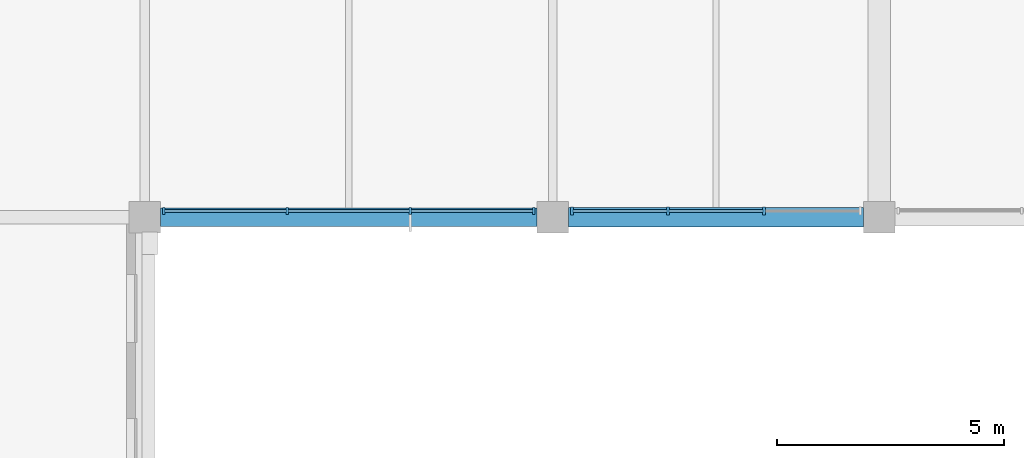
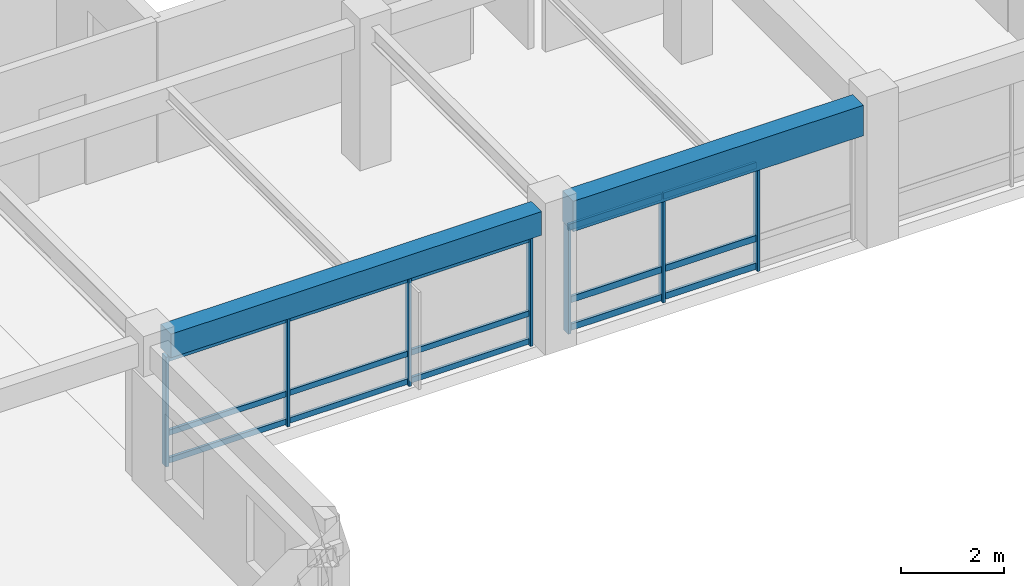
# One storey, part 22 of 52: 22 members, 2 beams, 2 elements without a shape of their own.
"""IFC4 building model written with IfcOpenShell, lengths in metres."""

from ifc_helpers import new_model, si_unit, direction, frame, origin, origin_2d, place, context, subcontext, project, spatial, rectangle, extrude, material, material_profile, profile_set, type_object, element, aggregate, save


model = new_model("IFC4")

# Units and contexts
model_context = context("Model", 3, precision=1e-05, world=origin(), true_north=direction((0.0, 1.0)))
body_context = subcontext(model_context, "Body", "Model", "MODEL_VIEW")
ifc_project = project(units=[si_unit("LENGTHUNIT", "METRE"), si_unit("AREAUNIT", "SQUARE_METRE"), si_unit("VOLUMEUNIT", "CUBIC_METRE"), si_unit("PLANEANGLEUNIT", "RADIAN"), si_unit("MASSUNIT", "GRAM", prefix="KILO")], contexts=[model_context])

# Site, building, storey
site_placement = place(None, origin())
site = spatial("IfcSite", under=ifc_project, at=site_placement, CompositionType="ELEMENT")
building_placement = place(site_placement, origin())
building = spatial("IfcBuilding", under=site, at=building_placement, Name="Clarverna Civic Hall", CompositionType="ELEMENT")
storey_placement = place(building_placement, frame((0.0, 0.0, 16.800048828125)))
storey = spatial("IfcBuildingStorey", under=building, at=storey_placement, Name="L04", CompositionType="ELEMENT", Elevation=16.800048828125)

# Beams
ifc_material_1 = material(Name="Concrete C35/45", Category="concrete")
ifc_material_profile_1 = material_profile(ifc_material_1, rectangle(XDim=0.419921875, YDim=0.719970703125, at=origin_2d()), Name="RC 420x720")
ifc_profile_set_1 = profile_set([ifc_material_profile_1], Name="Concrete C35/45")
beam_type_1 = type_object("IfcBeamType", Name="B-SP1", PredefinedType="SPANDREL", material=ifc_profile_set_1)
beam_1_placement = place(storey_placement, frame((122.75, 95.0, 2.9599609375), z_axis=(1.0, 0.0, 0.0), x_axis=(0.0, 1.0, 0.0)))
element("IfcBeam", 1, at=beam_1_placement, inside=storey, type_object=beam_type_1, Name="B-SP1-129", PredefinedType="SPANDREL", context=body_context, shape_type="SweptSolid", body=[
    extrude(rectangle(XDim=0.419921875, YDim=0.719970703125, at=origin_2d()), origin(), (0.0, 0.0, 1.0), 6.5),
])
ifc_material_profile_2 = material_profile(ifc_material_1, rectangle(XDim=0.39990234375, YDim=0.56005859375, at=origin_2d()), Name="RC 400x560")
ifc_profile_set_2 = profile_set([ifc_material_profile_2], Name="Concrete C35/45")
beam_type_2 = type_object("IfcBeamType", Name="B-SP4", PredefinedType="SPANDREL", material=ifc_profile_set_2)
beam_2_placement = place(storey_placement, frame((113.75, 95.0, 3.0400390625), z_axis=(1.0, 0.0, 0.0), x_axis=(0.0, 1.0, 0.0)))
element("IfcBeam", 2, at=beam_2_placement, inside=storey, type_object=beam_type_2, Name="B-SP4-133", PredefinedType="SPANDREL", context=body_context, shape_type="SweptSolid", body=[
    extrude(rectangle(XDim=0.39990234375, YDim=0.56005859375, at=origin_2d()), origin(), (0.0, 0.0, 1.0), 8.300048828125),
])

# Curtain wall, members
ifc_material_2 = material(Name="Anodised Bronze Architectural Aluminium", Category="aluminium")
curtain_wall_type = type_object("IfcCurtainWallType", Name="CW-01", PredefinedType="USERDEFINED", material=ifc_material_2)
curtain_wall_1_placement = place(storey_placement, origin())
curtain_wall_1 = element("IfcCurtainWall", 3, at=curtain_wall_1_placement, inside=storey, type_object=curtain_wall_type, Name="CW-01-099", ObjectType="UNITISED CURTAIN WALL", PredefinedType="USERDEFINED")
ifc_material_profile_3 = material_profile(ifc_material_2, rectangle(XDim=0.06005859375, YDim=0.179931640625, at=origin_2d()), Name="BRONZE 60x180")
ifc_profile_set_3 = profile_set([ifc_material_profile_3], Name="Anodised Bronze Architectural Aluminium")
member_type_1 = type_object("IfcMemberType", Name="CWM-01", PredefinedType="MULLION", material=ifc_profile_set_3)
member_1_placement = place(storey_placement, frame((127.05908203125, 95.139892578125, 0.0), z_axis=(0.0, 0.0, 1.0), x_axis=(1.0, 0.0, 0.0)))
member_1 = element("IfcMember", 4, at=member_1_placement, type_object=member_type_1, Name="CWM-01-175", PredefinedType="MULLION", context=body_context, shape_type="SweptSolid", body=[
    extrude(rectangle(XDim=0.06005859375, YDim=0.179931640625, at=origin_2d()), origin(), (0.0, 0.0, 1.0), 2.570068359375),
])
member_2_placement = place(storey_placement, frame((124.94091796875, 95.139892578125, 0.0), z_axis=(0.0, 0.0, 1.0), x_axis=(1.0, 0.0, 0.0)))
member_2 = element("IfcMember", 5, at=member_2_placement, type_object=member_type_1, Name="CWM-01-176", PredefinedType="MULLION", context=body_context, shape_type="SweptSolid", body=[
    extrude(rectangle(XDim=0.06005859375, YDim=0.179931640625, at=origin_2d()), origin(), (0.0, 0.0, 1.0), 2.570068359375),
])
member_3_placement = place(storey_placement, frame((122.822998046875, 95.139892578125, 0.0), z_axis=(0.0, 0.0, 1.0), x_axis=(1.0, 0.0, 0.0)))
member_3 = element("IfcMember", 6, at=member_3_placement, type_object=member_type_1, Name="CWM-01-177", PredefinedType="MULLION", context=body_context, shape_type="SweptSolid", body=[
    extrude(rectangle(XDim=0.06005859375, YDim=0.179931640625, at=origin_2d()), origin(), (0.0, 0.0, 1.0), 2.570068359375),
])

curtain_wall_2_placement = place(storey_placement, origin())
curtain_wall_2 = element("IfcCurtainWall", 7, at=curtain_wall_2_placement, inside=storey, type_object=curtain_wall_type, Name="CW-01-100", ObjectType="UNITISED CURTAIN WALL", PredefinedType="USERDEFINED")
ifc_material_profile_4 = material_profile(ifc_material_2, rectangle(XDim=0.06005859375, YDim=0.159912109375, at=origin_2d()), Name="BRONZE 60x160")
ifc_profile_set_4 = profile_set([ifc_material_profile_4], Name="Anodised Bronze Architectural Aluminium")
member_type_2 = type_object("IfcMemberType", Name="CWM-02", PredefinedType="MULLION", material=ifc_profile_set_4)
member_4_placement = place(storey_placement, frame((121.97705078125, 95.139892578125, 0.0), z_axis=(0.0, 0.0, 1.0), x_axis=(1.0, 0.0, 0.0)))
member_4 = element("IfcMember", 8, at=member_4_placement, type_object=member_type_2, Name="CWM-02-203", PredefinedType="MULLION", context=body_context, shape_type="SweptSolid", body=[
    extrude(rectangle(XDim=0.06005859375, YDim=0.159912109375, at=origin_2d()), origin(), (0.0, 0.0, 1.0), 2.599853515625),
])
member_5_placement = place(storey_placement, frame((119.259033203125, 95.139892578125, 0.0), z_axis=(0.0, 0.0, 1.0), x_axis=(1.0, 0.0, 0.0)))
member_5 = element("IfcMember", 9, at=member_5_placement, type_object=member_type_2, Name="CWM-02-204", PredefinedType="MULLION", context=body_context, shape_type="SweptSolid", body=[
    extrude(rectangle(XDim=0.06005859375, YDim=0.159912109375, at=origin_2d()), origin(), (0.0, 0.0, 1.0), 2.599853515625),
])
member_6_placement = place(storey_placement, frame((116.541015625, 95.139892578125, 0.0), z_axis=(0.0, 0.0, 1.0), x_axis=(1.0, 0.0, 0.0)))
member_6 = element("IfcMember", 10, at=member_6_placement, type_object=member_type_2, Name="CWM-02-205", PredefinedType="MULLION", context=body_context, shape_type="SweptSolid", body=[
    extrude(rectangle(XDim=0.06005859375, YDim=0.159912109375, at=origin_2d()), origin(), (0.0, 0.0, 1.0), 2.599853515625),
])
member_7_placement = place(storey_placement, frame((113.822998046875, 95.139892578125, 0.0), z_axis=(0.0, 0.0, 1.0), x_axis=(1.0, 0.0, 0.0)))
member_7 = element("IfcMember", 11, at=member_7_placement, type_object=member_type_2, Name="CWM-02-206", PredefinedType="MULLION", context=body_context, shape_type="SweptSolid", body=[
    extrude(rectangle(XDim=0.06005859375, YDim=0.159912109375, at=origin_2d()), origin(), (0.0, 0.0, 1.0), 2.599853515625),
])

# Member
ifc_material_profile_5 = material_profile(ifc_material_2, rectangle(XDim=0.06005859375, YDim=0.14990234375, at=origin_2d()), Name="BRONZE 60x150")
ifc_profile_set_5 = profile_set([ifc_material_profile_5], Name="Anodised Bronze Architectural Aluminium")
member_type_3 = type_object("IfcMemberType", Name="CWT-01", PredefinedType="USERDEFINED", material=ifc_profile_set_5)
member_8_placement = place(storey_placement, frame((127.0439453125, 95.139892578125, 0.094970703125), z_axis=(-1.0, 0.0, 0.0), x_axis=(0.0, -1.0, 0.0)))
member_8 = element("IfcMember", 12, at=member_8_placement, type_object=member_type_3, Name="CWT-01-373", ObjectType="TRANSOM", PredefinedType="USERDEFINED", context=body_context, shape_type="SweptSolid", body=[
    extrude(rectangle(XDim=0.06005859375, YDim=0.14990234375, at=origin_2d()), origin(), (0.0, 0.0, 1.0), 2.087890625),
])

member_9_placement = place(storey_placement, frame((127.0439453125, 95.139892578125, 0.75), z_axis=(-1.0, 0.0, 0.0), x_axis=(0.0, -1.0, 0.0)))
member_9 = element("IfcMember", 13, at=member_9_placement, type_object=member_type_3, Name="CWT-01-374", ObjectType="TRANSOM", PredefinedType="USERDEFINED", context=body_context, shape_type="SweptSolid", body=[
    extrude(rectangle(XDim=0.06005859375, YDim=0.14990234375, at=origin_2d()), origin(), (0.0, 0.0, 1.0), 2.087890625),
])

member_10_placement = place(storey_placement, frame((127.0439453125, 95.139892578125, 2.474853515625), z_axis=(-1.0, 0.0, 0.0), x_axis=(0.0, -1.0, 0.0)))
member_10 = element("IfcMember", 14, at=member_10_placement, type_object=member_type_3, Name="CWT-01-375", ObjectType="TRANSOM", PredefinedType="USERDEFINED", context=body_context, shape_type="SweptSolid", body=[
    extrude(rectangle(XDim=0.06005859375, YDim=0.14990234375, at=origin_2d()), origin(), (0.0, 0.0, 1.0), 2.087890625),
])

member_11_placement = place(storey_placement, frame((124.926025390625, 95.139892578125, 0.094970703125), z_axis=(-1.0, 0.0, 0.0), x_axis=(0.0, -1.0, 0.0)))
member_11 = element("IfcMember", 15, at=member_11_placement, type_object=member_type_3, Name="CWT-01-376", ObjectType="TRANSOM", PredefinedType="USERDEFINED", context=body_context, shape_type="SweptSolid", body=[
    extrude(rectangle(XDim=0.06005859375, YDim=0.14990234375, at=origin_2d()), origin(), (0.0, 0.0, 1.0), 2.088134765625),
])

member_12_placement = place(storey_placement, frame((124.926025390625, 95.139892578125, 0.75), z_axis=(-1.0, 0.0, 0.0), x_axis=(0.0, -1.0, 0.0)))
member_12 = element("IfcMember", 16, at=member_12_placement, type_object=member_type_3, Name="CWT-01-377", ObjectType="TRANSOM", PredefinedType="USERDEFINED", context=body_context, shape_type="SweptSolid", body=[
    extrude(rectangle(XDim=0.06005859375, YDim=0.14990234375, at=origin_2d()), origin(), (0.0, 0.0, 1.0), 2.088134765625),
])

member_13_placement = place(storey_placement, frame((124.926025390625, 95.139892578125, 2.474853515625), z_axis=(-1.0, 0.0, 0.0), x_axis=(0.0, -1.0, 0.0)))
member_13 = element("IfcMember", 17, at=member_13_placement, type_object=member_type_3, Name="CWT-01-378", ObjectType="TRANSOM", PredefinedType="USERDEFINED", context=body_context, shape_type="SweptSolid", body=[
    extrude(rectangle(XDim=0.06005859375, YDim=0.14990234375, at=origin_2d()), origin(), (0.0, 0.0, 1.0), 2.088134765625),
])

aggregate(curtain_wall_1, [member_1, member_2, member_3, member_8, member_9, member_10, member_11, member_12, member_13])

ifc_material_profile_6 = material_profile(ifc_material_2, rectangle(XDim=0.06005859375, YDim=0.1298828125, at=origin_2d()), Name="BRONZE 60x130")
ifc_profile_set_6 = profile_set([ifc_material_profile_6], Name="Anodised Bronze Architectural Aluminium")
member_type_4 = type_object("IfcMemberType", Name="CWT-02", PredefinedType="USERDEFINED", material=ifc_profile_set_6)
member_14_placement = place(storey_placement, frame((121.9619140625, 95.139892578125, 0.094970703125), z_axis=(-1.0, 0.0, 0.0), x_axis=(0.0, -1.0, 0.0)))
member_14 = element("IfcMember", 18, at=member_14_placement, type_object=member_type_4, Name="CWT-02-430", ObjectType="TRANSOM", PredefinedType="USERDEFINED", context=body_context, shape_type="SweptSolid", body=[
    extrude(rectangle(XDim=0.06005859375, YDim=0.1298828125, at=origin_2d()), origin(), (0.0, 0.0, 1.0), 2.68798828125),
])

member_15_placement = place(storey_placement, frame((121.9619140625, 95.139892578125, 0.75), z_axis=(-1.0, 0.0, 0.0), x_axis=(0.0, -1.0, 0.0)))
member_15 = element("IfcMember", 19, at=member_15_placement, type_object=member_type_4, Name="CWT-02-431", ObjectType="TRANSOM", PredefinedType="USERDEFINED", context=body_context, shape_type="SweptSolid", body=[
    extrude(rectangle(XDim=0.06005859375, YDim=0.1298828125, at=origin_2d()), origin(), (0.0, 0.0, 1.0), 2.68798828125),
])

member_16_placement = place(storey_placement, frame((121.9619140625, 95.139892578125, 2.5048828125), z_axis=(-1.0, 0.0, 0.0), x_axis=(0.0, -1.0, 0.0)))
member_16 = element("IfcMember", 20, at=member_16_placement, type_object=member_type_4, Name="CWT-02-432", ObjectType="TRANSOM", PredefinedType="USERDEFINED", context=body_context, shape_type="SweptSolid", body=[
    extrude(rectangle(XDim=0.06005859375, YDim=0.1298828125, at=origin_2d()), origin(), (0.0, 0.0, 1.0), 2.68798828125),
])

member_17_placement = place(storey_placement, frame((119.243896484375, 95.139892578125, 0.094970703125), z_axis=(-1.0, 0.0, 0.0), x_axis=(0.0, -1.0, 0.0)))
member_17 = element("IfcMember", 21, at=member_17_placement, type_object=member_type_4, Name="CWT-02-433", ObjectType="TRANSOM", PredefinedType="USERDEFINED", context=body_context, shape_type="SweptSolid", body=[
    extrude(rectangle(XDim=0.06005859375, YDim=0.1298828125, at=origin_2d()), origin(), (0.0, 0.0, 1.0), 2.68798828125),
])

member_18_placement = place(storey_placement, frame((119.243896484375, 95.139892578125, 0.75), z_axis=(-1.0, 0.0, 0.0), x_axis=(0.0, -1.0, 0.0)))
member_18 = element("IfcMember", 22, at=member_18_placement, type_object=member_type_4, Name="CWT-02-434", ObjectType="TRANSOM", PredefinedType="USERDEFINED", context=body_context, shape_type="SweptSolid", body=[
    extrude(rectangle(XDim=0.06005859375, YDim=0.1298828125, at=origin_2d()), origin(), (0.0, 0.0, 1.0), 2.68798828125),
])

member_19_placement = place(storey_placement, frame((119.243896484375, 95.139892578125, 2.5048828125), z_axis=(-1.0, 0.0, 0.0), x_axis=(0.0, -1.0, 0.0)))
member_19 = element("IfcMember", 23, at=member_19_placement, type_object=member_type_4, Name="CWT-02-435", ObjectType="TRANSOM", PredefinedType="USERDEFINED", context=body_context, shape_type="SweptSolid", body=[
    extrude(rectangle(XDim=0.06005859375, YDim=0.1298828125, at=origin_2d()), origin(), (0.0, 0.0, 1.0), 2.68798828125),
])

member_20_placement = place(storey_placement, frame((116.52587890625, 95.139892578125, 0.094970703125), z_axis=(-1.0, 0.0, 0.0), x_axis=(0.0, -1.0, 0.0)))
member_20 = element("IfcMember", 24, at=member_20_placement, type_object=member_type_4, Name="CWT-02-436", ObjectType="TRANSOM", PredefinedType="USERDEFINED", context=body_context, shape_type="SweptSolid", body=[
    extrude(rectangle(XDim=0.06005859375, YDim=0.1298828125, at=origin_2d()), origin(), (0.0, 0.0, 1.0), 2.68798828125),
])

member_21_placement = place(storey_placement, frame((116.52587890625, 95.139892578125, 0.75), z_axis=(-1.0, 0.0, 0.0), x_axis=(0.0, -1.0, 0.0)))
member_21 = element("IfcMember", 25, at=member_21_placement, type_object=member_type_4, Name="CWT-02-437", ObjectType="TRANSOM", PredefinedType="USERDEFINED", context=body_context, shape_type="SweptSolid", body=[
    extrude(rectangle(XDim=0.06005859375, YDim=0.1298828125, at=origin_2d()), origin(), (0.0, 0.0, 1.0), 2.68798828125),
])

member_22_placement = place(storey_placement, frame((116.52587890625, 95.139892578125, 2.5048828125), z_axis=(-1.0, 0.0, 0.0), x_axis=(0.0, -1.0, 0.0)))
member_22 = element("IfcMember", 26, at=member_22_placement, type_object=member_type_4, Name="CWT-02-438", ObjectType="TRANSOM", PredefinedType="USERDEFINED", context=body_context, shape_type="SweptSolid", body=[
    extrude(rectangle(XDim=0.06005859375, YDim=0.1298828125, at=origin_2d()), origin(), (0.0, 0.0, 1.0), 2.68798828125),
])

aggregate(curtain_wall_2, [member_4, member_5, member_6, member_7, member_14, member_15, member_16, member_17, member_18, member_19, member_20, member_21, member_22])

save(model, "model.ifc")
